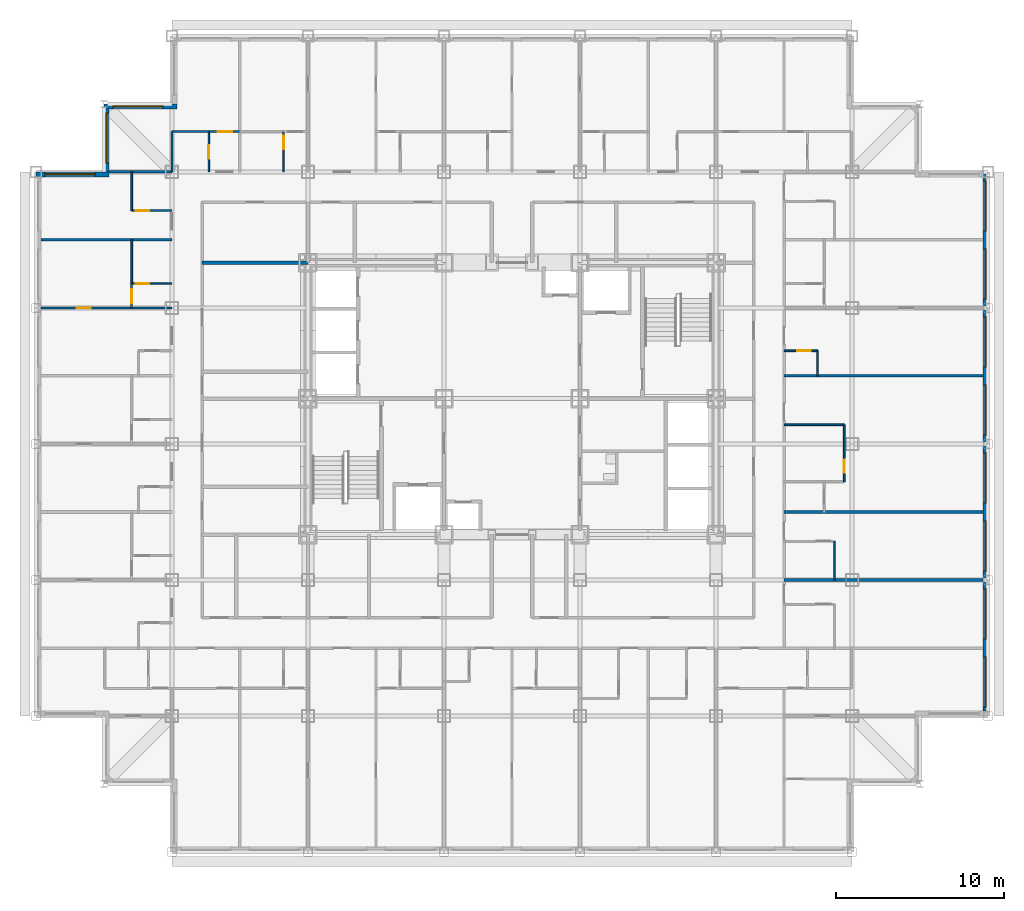
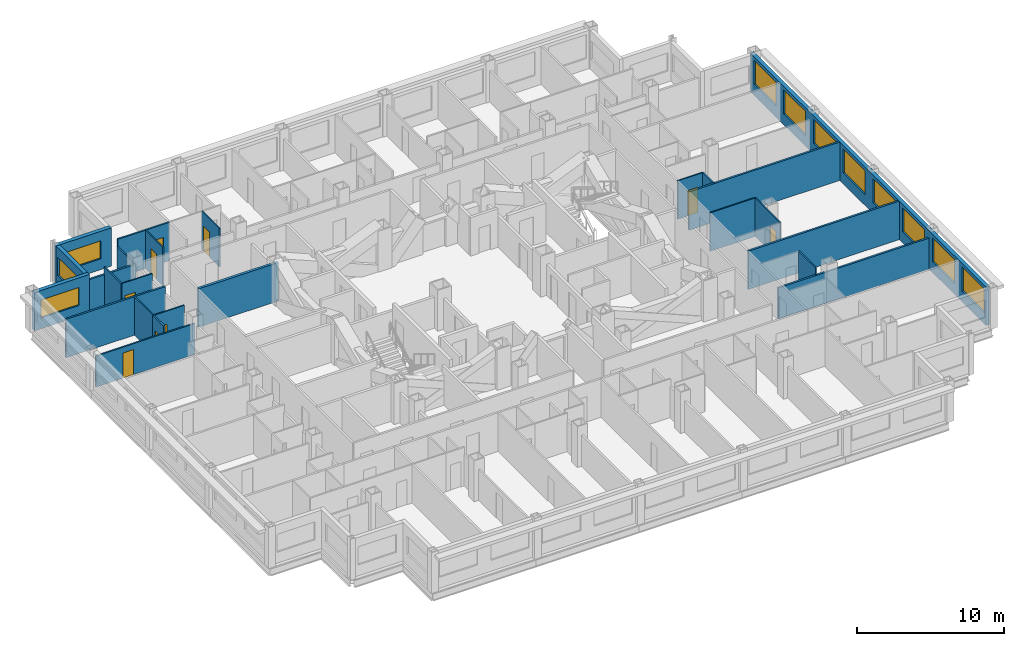
# One storey, part 9 of 14: 25 walls, 11 windows, 9 doors, 20 openings.
"""IFC4 building model written with IfcOpenShell, lengths in metres."""

from ifc_helpers import new_model, si_unit, direction, frame, frame_2d, origin, place, context, subcontext, project, spatial, rectangle, extrude, material, layer, layer_set, type_object, element, fill, save


model = new_model("IFC4")

# Units and contexts
model_context = context("Model", 3, precision=1e-05, world=origin(), true_north=direction((0.0, 1.0)))
body_context = subcontext(model_context, "Body", "Model", "MODEL_VIEW")
ifc_project = project(units=[si_unit("LENGTHUNIT", "METRE"), si_unit("AREAUNIT", "SQUARE_METRE"), si_unit("VOLUMEUNIT", "CUBIC_METRE"), si_unit("PLANEANGLEUNIT", "RADIAN"), si_unit("MASSUNIT", "GRAM", prefix="KILO")], contexts=[model_context])

# Site, building, storey
site_placement = place(None, origin())
site = spatial("IfcSite", under=ifc_project, at=site_placement, CompositionType="ELEMENT")
building_placement = place(site_placement, origin())
building = spatial("IfcBuilding", under=site, at=building_placement, Name="Kopane Lantern Tower", CompositionType="ELEMENT")
storey_placement = place(building_placement, frame((0.0, 0.0, 137.39990234375)))
storey = spatial("IfcBuildingStorey", under=building, at=storey_placement, Name="L35", CompositionType="ELEMENT", Elevation=137.39990234375)

# Wall, opening, door
ifc_material_1 = material(Name="Gypsum board on steel studs", Category="steel")
ifc_layer_1 = layer(ifc_material_1, 0.1201171875)
ifc_layer_set_1 = layer_set([ifc_layer_1], Name="APARTMENT INTERNAL WALL 120")
wall_type_1 = type_object("IfcWallType", Name="APARTMENT INTERNAL WALL 120", PredefinedType="PARTITIONING", material=ifc_layer_set_1)
wall_1_placement = place(storey_placement, frame((8.10009765625, 37.800048828125, 0.0), z_axis=(0.0, 0.0, 1.0), x_axis=(-1.0, 0.0, 0.0)))
wall_1 = element("IfcWall", 1, at=wall_1_placement, inside=storey, type_object=wall_type_1, Name="Apartment Internal Wall 120 L35", PredefinedType="PARTITIONING", context=body_context, shape_type="SweptSolid", body=[
    extrude(rectangle(XDim=7.800048828125, YDim=0.1201171875, at=frame_2d((3.89990234375, 0.0))), origin(), (0.0, 0.0, 1.0), 2.577880859375),
])
opening_1_placement = place(wall_1_placement, frame((4.824951171875, 0.0, 0.0)))
opening_1 = element("IfcOpeningElement", 2, at=opening_1_placement, cuts=wall_1, Name="Opening L35-054", PredefinedType="OPENING", context=body_context, shape_type="SweptSolid", body=[
    extrude(rectangle(XDim=0.85009765625, YDim=2.10009765625, at=frame_2d((0.425048828125, 1.050048828125))), frame((0.0, 0.070068359375, 0.0), z_axis=(0.0, -1.0, 0.0), x_axis=(1.0, 0.0, 0.0)), (0.0, 0.0, 1.0), 0.14013671875),
])
ifc_material_2 = material(Name="Timber door set", Category="wood")
door_type_1 = type_object("IfcDoorType", Name="DOOR D4 850x2100", OperationType="SINGLE_SWING_LEFT", PredefinedType="DOOR", material=ifc_material_2)
door_1_placement = place(opening_1_placement, origin())
door_1 = element("IfcDoor", 3, at=door_1_placement, inside=storey, type_object=door_type_1, Name="Door L35-054", OperationType="SINGLE_SWING_RIGHT", OverallHeight=2.10009765625, OverallWidth=0.85009765625, PredefinedType="DOOR", context=body_context, shape_type="SweptSolid", body=[
    extrude(rectangle(XDim=0.85009765625, YDim=2.10009765625, at=frame_2d((0.425048828125, 1.050048828125))), frame((0.0, 0.02490234375, 0.0), z_axis=(0.0, -1.0, 0.0), x_axis=(1.0, 0.0, 0.0)), (0.0, 0.0, 1.0), 0.050048828125),
])
fill(opening_1, door_1)

wall_2_placement = place(storey_placement, frame((8.10009765625, 48.300048828125, 0.0), z_axis=(0.0, 0.0, 1.0), x_axis=(1.0, 0.0, 0.0)))
wall_2 = element("IfcWall", 4, at=wall_2_placement, inside=storey, type_object=wall_type_1, Name="Apartment Internal Wall 120 L35", PredefinedType="PARTITIONING", context=body_context, shape_type="SweptSolid", body=[
    extrude(rectangle(XDim=4.0498046875, YDim=0.1201171875, at=frame_2d((2.02490234375, 0.0))), origin(), (0.0, 0.0, 1.0), 3.190185546875),
])
opening_2_placement = place(wall_2_placement, frame((2.72509765625, 0.0, 0.0)))
opening_2 = element("IfcOpeningElement", 5, at=opening_2_placement, cuts=wall_2, Name="Opening L35-086", PredefinedType="OPENING", context=body_context, shape_type="SweptSolid", body=[
    extrude(rectangle(XDim=0.85009765625, YDim=2.10009765625, at=frame_2d((0.425048828125, 1.050048828125))), frame((0.0, 0.070068359375, 0.0), z_axis=(0.0, -1.0, 0.0), x_axis=(1.0, 0.0, 0.0)), (0.0, 0.0, 1.0), 0.14013671875),
])
door_2_placement = place(opening_2_placement, origin())
door_2 = element("IfcDoor", 6, at=door_2_placement, inside=storey, type_object=door_type_1, Name="Door L35-086", OperationType="SINGLE_SWING_RIGHT", OverallHeight=2.10009765625, OverallWidth=0.85009765625, PredefinedType="DOOR", context=body_context, shape_type="SweptSolid", body=[
    extrude(rectangle(XDim=0.85009765625, YDim=2.10009765625, at=frame_2d((0.425048828125, 1.050048828125))), frame((0.0, 0.02490234375, 0.0), z_axis=(0.0, -1.0, 0.0), x_axis=(1.0, 0.0, 0.0)), (0.0, 0.0, 1.0), 0.050048828125),
])
fill(opening_2, door_2)

wall_3_placement = place(storey_placement, frame((5.699951171875, 37.800048828125, 0.0), z_axis=(0.0, 0.0, 1.0), x_axis=(0.0, 1.0, 0.0)))
wall_3 = element("IfcWall", 7, at=wall_3_placement, inside=storey, type_object=wall_type_1, Name="Apartment Internal Wall 120 L35", PredefinedType="PARTITIONING", context=body_context, shape_type="SweptSolid", body=[
    extrude(rectangle(XDim=1.4599609375, YDim=0.1201171875, at=frame_2d((0.72998046875, 0.0))), origin(), (0.0, 0.0, 1.0), 3.190185546875),
])
opening_3_placement = place(wall_3_placement, frame((0.27490234375, 0.0, 0.0)))
opening_3 = element("IfcOpeningElement", 8, at=opening_3_placement, cuts=wall_3, Name="Opening L35-096", PredefinedType="OPENING", context=body_context, shape_type="SweptSolid", body=[
    extrude(rectangle(XDim=0.85009765625, YDim=2.10009765625, at=frame_2d((0.425048828125, 1.050048828125))), frame((0.0, 0.070068359375, 0.0), z_axis=(0.0, -1.0, 0.0), x_axis=(1.0, 0.0, 0.0)), (0.0, 0.0, 1.0), 0.14013671875),
])
door_3_placement = place(opening_3_placement, origin())
door_3 = element("IfcDoor", 9, at=door_3_placement, inside=storey, type_object=door_type_1, Name="Door L35-096", OperationType="SINGLE_SWING_LEFT", OverallHeight=2.10009765625, OverallWidth=0.85009765625, PredefinedType="DOOR", context=body_context, shape_type="SweptSolid", body=[
    extrude(rectangle(XDim=0.85009765625, YDim=2.10009765625, at=frame_2d((0.425048828125, 1.050048828125))), frame((0.0, 0.02490234375, 0.0), z_axis=(0.0, -1.0, 0.0), x_axis=(1.0, 0.0, 0.0)), (0.0, 0.0, 1.0), 0.050048828125),
])
fill(opening_3, door_3)

ifc_material_3 = material(Name="Moisture-resistant board on steel studs", Category="steel")
ifc_layer_2 = layer(ifc_material_3, 0.10009765625)
ifc_layer_set_2 = layer_set([ifc_layer_2], Name="BATHROOM WALL 100")
wall_type_2 = type_object("IfcWallType", Name="BATHROOM WALL 100", PredefinedType="PARTITIONING", material=ifc_layer_set_2)
wall_4_placement = place(storey_placement, frame((14.75, 45.89990234375, 0.0), z_axis=(0.0, 0.0, 1.0), x_axis=(0.0, 1.0, 0.0)))
wall_4 = element("IfcWall", 10, at=wall_4_placement, inside=storey, type_object=wall_type_2, Name="Bathroom Wall 100 L35", PredefinedType="PARTITIONING", context=body_context, shape_type="SweptSolid", body=[
    extrude(rectangle(XDim=2.400146484375, YDim=0.10009765625, at=frame_2d((1.2001953125, 0.0))), origin(), (0.0, 0.0, 1.0), 3.190185546875),
])
opening_4_placement = place(wall_4_placement, frame((1.35009765625, 0.0, 0.0)))
opening_4 = element("IfcOpeningElement", 11, at=opening_4_placement, cuts=wall_4, Name="Opening L35-032", PredefinedType="OPENING", context=body_context, shape_type="SweptSolid", body=[
    extrude(rectangle(XDim=0.800048828125, YDim=2.10009765625, at=frame_2d((0.39990234375, 1.050048828125))), frame((0.0, 0.06005859375, 0.0), z_axis=(0.0, -1.0, 0.0), x_axis=(1.0, 0.0, 0.0)), (0.0, 0.0, 1.0), 0.1201171875),
])
ifc_material_4 = material(Name="Timber door set", Category="wood")
door_type_2 = type_object("IfcDoorType", Name="DOOR D2 800x2100", OperationType="SINGLE_SWING_LEFT", PredefinedType="DOOR", material=ifc_material_4)
door_4_placement = place(opening_4_placement, origin())
door_4 = element("IfcDoor", 12, at=door_4_placement, inside=storey, type_object=door_type_2, Name="Door L35-032", OperationType="SINGLE_SWING_LEFT", OverallHeight=2.10009765625, OverallWidth=0.800048828125, PredefinedType="DOOR", context=body_context, shape_type="SweptSolid", body=[
    extrude(rectangle(XDim=0.800048828125, YDim=2.10009765625, at=frame_2d((0.39990234375, 1.050048828125))), frame((0.0, 0.02490234375, 0.0), z_axis=(0.0, -1.0, 0.0), x_axis=(1.0, 0.0, 0.0)), (0.0, 0.0, 1.0), 0.050048828125),
])
fill(opening_4, door_4)

# Wall
wall_5_placement = place(storey_placement, frame((5.699951171875, 39.25, 0.0), z_axis=(0.0, 0.0, 1.0), x_axis=(0.0, 1.0, 0.0)))
element("IfcWall", 13, at=wall_5_placement, inside=storey, type_object=wall_type_2, Name="Bathroom Wall 100 L35", PredefinedType="PARTITIONING", context=body_context, shape_type="SweptSolid", body=[
    extrude(rectangle(XDim=2.60009765625, YDim=0.10009765625, at=frame_2d((1.300048828125, 0.0))), origin(), (0.0, 0.0, 1.0), 3.190185546875),
])

# Wall, opening, door
wall_6_placement = place(storey_placement, frame((8.10009765625, 39.25, 0.0), z_axis=(0.0, 0.0, 1.0), x_axis=(-1.0, 0.0, 0.0)))
wall_6 = element("IfcWall", 14, at=wall_6_placement, inside=storey, type_object=wall_type_2, Name="Bathroom Wall 100 L35", PredefinedType="PARTITIONING", context=body_context, shape_type="SweptSolid", body=[
    extrude(rectangle(XDim=2.400146484375, YDim=0.10009765625, at=frame_2d((1.2001953125, 0.0))), origin(), (0.0, 0.0, 1.0), 3.190185546875),
])
opening_5_placement = place(wall_6_placement, frame((1.35009765625, 0.0, 0.0)))
opening_5 = element("IfcOpeningElement", 15, at=opening_5_placement, cuts=wall_6, Name="Opening L35-053", PredefinedType="OPENING", context=body_context, shape_type="SweptSolid", body=[
    extrude(rectangle(XDim=0.800048828125, YDim=2.10009765625, at=frame_2d((0.39990234375, 1.050048828125))), frame((0.0, 0.06005859375, 0.0), z_axis=(0.0, -1.0, 0.0), x_axis=(1.0, 0.0, 0.0)), (0.0, 0.0, 1.0), 0.1201171875),
])
door_5_placement = place(opening_5_placement, origin())
door_5 = element("IfcDoor", 16, at=door_5_placement, inside=storey, type_object=door_type_2, Name="Door L35-053", OperationType="SINGLE_SWING_RIGHT", OverallHeight=2.10009765625, OverallWidth=0.800048828125, PredefinedType="DOOR", context=body_context, shape_type="SweptSolid", body=[
    extrude(rectangle(XDim=0.800048828125, YDim=2.10009765625, at=frame_2d((0.39990234375, 1.050048828125))), frame((0.0, 0.02490234375, 0.0), z_axis=(0.0, -1.0, 0.0), x_axis=(1.0, 0.0, 0.0)), (0.0, 0.0, 1.0), 0.050048828125),
])
fill(opening_5, door_5)

# Wall
wall_7_placement = place(storey_placement, frame((5.699951171875, 43.60009765625, 0.0), z_axis=(0.0, 0.0, 1.0), x_axis=(0.0, 1.0, 0.0)))
element("IfcWall", 17, at=wall_7_placement, inside=storey, type_object=wall_type_2, Name="Bathroom Wall 100 L35", PredefinedType="PARTITIONING", context=body_context, shape_type="SweptSolid", body=[
    extrude(rectangle(XDim=2.2998046875, YDim=0.10009765625, at=frame_2d((1.14990234375, 0.0))), origin(), (0.0, 0.0, 1.0), 3.190185546875),
])

# Wall, opening, door
wall_8_placement = place(storey_placement, frame((8.10009765625, 43.60009765625, 0.0), z_axis=(0.0, 0.0, 1.0), x_axis=(-1.0, 0.0, 0.0)))
wall_8 = element("IfcWall", 18, at=wall_8_placement, inside=storey, type_object=wall_type_2, Name="Bathroom Wall 100 L35", PredefinedType="PARTITIONING", context=body_context, shape_type="SweptSolid", body=[
    extrude(rectangle(XDim=2.400146484375, YDim=0.10009765625, at=frame_2d((1.2001953125, 0.0))), origin(), (0.0, 0.0, 1.0), 3.190185546875),
])
opening_6_placement = place(wall_8_placement, frame((1.35009765625, 0.0, 0.0)))
opening_6 = element("IfcOpeningElement", 19, at=opening_6_placement, cuts=wall_8, Name="Opening L35-055", PredefinedType="OPENING", context=body_context, shape_type="SweptSolid", body=[
    extrude(rectangle(XDim=0.800048828125, YDim=2.10009765625, at=frame_2d((0.39990234375, 1.050048828125))), frame((0.0, 0.06005859375, 0.0), z_axis=(0.0, -1.0, 0.0), x_axis=(1.0, 0.0, 0.0)), (0.0, 0.0, 1.0), 0.1201171875),
])
door_6_placement = place(opening_6_placement, origin())
door_6 = element("IfcDoor", 20, at=door_6_placement, inside=storey, type_object=door_type_2, Name="Door L35-055", OperationType="SINGLE_SWING_LEFT", OverallHeight=2.10009765625, OverallWidth=0.800048828125, PredefinedType="DOOR", context=body_context, shape_type="SweptSolid", body=[
    extrude(rectangle(XDim=0.800048828125, YDim=2.10009765625, at=frame_2d((0.39990234375, 1.050048828125))), frame((0.0, 0.02490234375, 0.0), z_axis=(0.0, -1.0, 0.0), x_axis=(1.0, 0.0, 0.0)), (0.0, 0.0, 1.0), 0.050048828125),
])
fill(opening_6, door_6)

# Wall
wall_9_placement = place(storey_placement, frame((47.550048828125, 21.60009765625, 0.0), z_axis=(0.0, 0.0, 1.0), x_axis=(0.0, 1.0, 0.0)))
element("IfcWall", 21, at=wall_9_placement, inside=storey, type_object=wall_type_2, Name="Bathroom Wall 100 L35", PredefinedType="PARTITIONING", context=body_context, shape_type="SweptSolid", body=[
    extrude(rectangle(XDim=2.2998046875, YDim=0.10009765625, at=frame_2d((1.14990234375, 0.0))), origin(), (0.0, 0.0, 1.0), 3.190185546875),
])

# Wall, opening, door
wall_10_placement = place(storey_placement, frame((48.139892578125, 27.449951171875, 0.0), z_axis=(0.0, 0.0, 1.0), x_axis=(0.0, 1.0, 0.0)))
wall_10 = element("IfcWall", 22, at=wall_10_placement, inside=storey, type_object=wall_type_2, Name="Bathroom Wall 100 L35", PredefinedType="PARTITIONING", context=body_context, shape_type="SweptSolid", body=[
    extrude(rectangle(XDim=3.400146484375, YDim=0.10009765625, at=frame_2d((1.7001953125, 0.0))), origin(), (0.0, 0.0, 1.0), 3.190185546875),
])
opening_7_placement = place(wall_10_placement, frame((0.52490234375, 0.0, 0.0)))
opening_7 = element("IfcOpeningElement", 23, at=opening_7_placement, cuts=wall_10, Name="Opening L35-061", PredefinedType="OPENING", context=body_context, shape_type="SweptSolid", body=[
    extrude(rectangle(XDim=0.800048828125, YDim=2.10009765625, at=frame_2d((0.39990234375, 1.050048828125))), frame((0.0, 0.06005859375, 0.0), z_axis=(0.0, -1.0, 0.0), x_axis=(1.0, 0.0, 0.0)), (0.0, 0.0, 1.0), 0.1201171875),
])
door_7_placement = place(opening_7_placement, origin())
door_7 = element("IfcDoor", 24, at=door_7_placement, inside=storey, type_object=door_type_2, Name="Door L35-061", OperationType="SINGLE_SWING_LEFT", OverallHeight=2.10009765625, OverallWidth=0.800048828125, PredefinedType="DOOR", context=body_context, shape_type="SweptSolid", body=[
    extrude(rectangle(XDim=0.800048828125, YDim=2.10009765625, at=frame_2d((0.39990234375, 1.050048828125))), frame((0.0, 0.02490234375, 0.0), z_axis=(0.0, -1.0, 0.0), x_axis=(1.0, 0.0, 0.0)), (0.0, 0.0, 1.0), 0.050048828125),
])
fill(opening_7, door_7)

# Walls
wall_11_placement = place(storey_placement, frame((44.550048828125, 30.85009765625, 0.0), z_axis=(0.0, 0.0, 1.0), x_axis=(1.0, 0.0, 0.0)))
element("IfcWall", 25, at=wall_11_placement, inside=storey, type_object=wall_type_2, Name="Bathroom Wall 100 L35", PredefinedType="PARTITIONING", context=body_context, shape_type="SweptSolid", body=[
    extrude(rectangle(XDim=3.58984375, YDim=0.10009765625, at=frame_2d((1.794921875, 0.0))), origin(), (0.0, 0.0, 1.0), 3.190185546875),
])
wall_12_placement = place(storey_placement, frame((46.550048828125, 33.75, 0.0), z_axis=(0.0, 0.0, 1.0), x_axis=(0.0, 1.0, 0.0)))
element("IfcWall", 26, at=wall_12_placement, inside=storey, type_object=wall_type_2, Name="Bathroom Wall 100 L35", PredefinedType="PARTITIONING", context=body_context, shape_type="SweptSolid", body=[
    extrude(rectangle(XDim=1.5, YDim=0.10009765625, at=frame_2d((0.75, 0.0))), origin(), (0.0, 0.0, 1.0), 3.190185546875),
])

# Wall, opening, door
wall_13_placement = place(storey_placement, frame((44.550048828125, 35.25, 0.0), z_axis=(0.0, 0.0, 1.0), x_axis=(1.0, 0.0, 0.0)))
wall_13 = element("IfcWall", 27, at=wall_13_placement, inside=storey, type_object=wall_type_2, Name="Bathroom Wall 100 L35", PredefinedType="PARTITIONING", context=body_context, shape_type="SweptSolid", body=[
    extrude(rectangle(XDim=2.0, YDim=0.10009765625, at=frame_2d((1.0, 0.0))), origin(), (0.0, 0.0, 1.0), 3.190185546875),
])
opening_8_placement = place(wall_13_placement, frame((0.800048828125, 0.0, 0.0)))
opening_8 = element("IfcOpeningElement", 28, at=opening_8_placement, cuts=wall_13, Name="Opening L35-064", PredefinedType="OPENING", context=body_context, shape_type="SweptSolid", body=[
    extrude(rectangle(XDim=0.800048828125, YDim=2.10009765625, at=frame_2d((0.39990234375, 1.050048828125))), frame((0.0, 0.06005859375, 0.0), z_axis=(0.0, -1.0, 0.0), x_axis=(1.0, 0.0, 0.0)), (0.0, 0.0, 1.0), 0.1201171875),
])
door_8_placement = place(opening_8_placement, origin())
door_8 = element("IfcDoor", 29, at=door_8_placement, inside=storey, type_object=door_type_2, Name="Door L35-064", OperationType="SINGLE_SWING_LEFT", OverallHeight=2.10009765625, OverallWidth=0.800048828125, PredefinedType="DOOR", context=body_context, shape_type="SweptSolid", body=[
    extrude(rectangle(XDim=0.800048828125, YDim=2.10009765625, at=frame_2d((0.39990234375, 1.050048828125))), frame((0.0, 0.02490234375, 0.0), z_axis=(0.0, -1.0, 0.0), x_axis=(1.0, 0.0, 0.0)), (0.0, 0.0, 1.0), 0.050048828125),
])
fill(opening_8, door_8)

wall_14_placement = place(storey_placement, frame((10.300048828125, 45.89990234375, 0.0), z_axis=(0.0, 0.0, 1.0), x_axis=(0.0, 1.0, 0.0)))
wall_14 = element("IfcWall", 30, at=wall_14_placement, inside=storey, type_object=wall_type_2, Name="Bathroom Wall 100 L35", PredefinedType="PARTITIONING", context=body_context, shape_type="SweptSolid", body=[
    extrude(rectangle(XDim=2.400146484375, YDim=0.10009765625, at=frame_2d((1.2001953125, 0.0))), origin(), (0.0, 0.0, 1.0), 3.190185546875),
])
opening_9_placement = place(wall_14_placement, frame((0.800048828125, 0.0, 0.0)))
opening_9 = element("IfcOpeningElement", 31, at=opening_9_placement, cuts=wall_14, Name="Opening L35-084", PredefinedType="OPENING", context=body_context, shape_type="SweptSolid", body=[
    extrude(rectangle(XDim=0.800048828125, YDim=2.10009765625, at=frame_2d((0.39990234375, 1.050048828125))), frame((0.0, 0.06005859375, 0.0), z_axis=(0.0, -1.0, 0.0), x_axis=(1.0, 0.0, 0.0)), (0.0, 0.0, 1.0), 0.1201171875),
])
door_9_placement = place(opening_9_placement, origin())
door_9 = element("IfcDoor", 32, at=door_9_placement, inside=storey, type_object=door_type_2, Name="Door L35-084", OperationType="SINGLE_SWING_LEFT", OverallHeight=2.10009765625, OverallWidth=0.800048828125, PredefinedType="DOOR", context=body_context, shape_type="SweptSolid", body=[
    extrude(rectangle(XDim=0.800048828125, YDim=2.10009765625, at=frame_2d((0.39990234375, 1.050048828125))), frame((0.0, 0.02490234375, 0.0), z_axis=(0.0, -1.0, 0.0), x_axis=(1.0, 0.0, 0.0)), (0.0, 0.0, 1.0), 0.050048828125),
])
fill(opening_9, door_9)

# Walls
wall_15_placement = place(storey_placement, frame((8.10009765625, 45.89990234375, 0.0), z_axis=(0.0, 0.0, 1.0), x_axis=(0.0, 1.0, 0.0)))
element("IfcWall", 33, at=wall_15_placement, inside=storey, type_object=wall_type_2, Name="Bathroom Wall 100 L35", PredefinedType="PARTITIONING", context=body_context, shape_type="SweptSolid", body=[
    extrude(rectangle(XDim=2.400146484375, YDim=0.10009765625, at=frame_2d((1.2001953125, 0.0))), origin(), (0.0, 0.0, 1.0), 2.577880859375),
])
ifc_material_5 = material(Name="Gypsum board on steel studs", Category="steel")
ifc_layer_3 = layer(ifc_material_5, 0.14990234375)
ifc_layer_set_3 = layer_set([ifc_layer_3], Name="DEMISING WALL 150 EI 60")
wall_type_3 = type_object("IfcWallType", Name="DEMISING WALL 150 EI 60", PredefinedType="PARTITIONING", material=ifc_layer_set_3)
wall_16_placement = place(storey_placement, frame((8.10009765625, 41.85009765625, 0.0), z_axis=(0.0, 0.0, 1.0), x_axis=(-1.0, 0.0, 0.0)))
element("IfcWall", 34, at=wall_16_placement, inside=storey, type_object=wall_type_3, Name="Demising Wall 150 Ei 60 L35", PredefinedType="PARTITIONING", context=body_context, shape_type="SweptSolid", body=[
    extrude(rectangle(XDim=7.800048828125, YDim=0.14990234375, at=frame_2d((3.89990234375, 0.0))), origin(), (0.0, 0.0, 1.0), 3.190185546875),
])
wall_17_placement = place(storey_placement, frame((44.550048828125, 21.60009765625, 0.0), z_axis=(0.0, 0.0, 1.0), x_axis=(1.0, 0.0, 0.0)))
element("IfcWall", 35, at=wall_17_placement, inside=storey, type_object=wall_type_3, Name="Demising Wall 150 Ei 60 L35", PredefinedType="PARTITIONING", context=body_context, shape_type="SweptSolid", body=[
    extrude(rectangle(XDim=11.849853515625, YDim=0.14990234375, at=frame_2d((5.9248046875, 0.0))), origin(), (0.0, 0.0, 1.0), 2.577880859375),
])
for number, where, z_axis, x_axis, name in (
    (36, (44.550048828125, 25.64990234375, 0.0), (0.0, 0.0, 1.0), (1.0, 0.0, 0.0), "Demising Wall 150 Ei 60 L35"),
    (37, (44.550048828125, 33.75, 0.0), (0.0, 0.0, 1.0), (1.0, 0.0, 0.0), "Demising Wall 150 Ei 60 L35"),
):
    element("IfcWall", number, at=place(storey_placement, frame(where, z_axis=z_axis, x_axis=x_axis)), inside=storey, type_object=wall_type_3, Name=name, PredefinedType="PARTITIONING", context=body_context, shape_type="SweptSolid", body=[
        extrude(rectangle(XDim=11.849853515625, YDim=0.14990234375, at=frame_2d((5.9248046875, 0.0))), origin(), (0.0, 0.0, 1.0), 3.190185546875),
    ])
wall_18_placement = place(storey_placement, frame((4.35009765625, 45.89990234375, 0.0), z_axis=(0.0, 0.0, 1.0), x_axis=(1.0, 0.0, 0.0)))
element("IfcWall", 38, at=wall_18_placement, inside=storey, type_object=wall_type_3, Name="Demising Wall 150 Ei 60 L35", PredefinedType="PARTITIONING", context=body_context, shape_type="SweptSolid", body=[
    extrude(rectangle(XDim=3.75, YDim=0.14990234375, at=frame_2d((1.875, 0.0))), origin(), (0.0, 0.0, 1.0), 2.577880859375),
])

# Wall, openings, windows
ifc_material_6 = material(Name="Terracotta rainscreen on light steel framing", Category="masonry")
ifc_layer_4 = layer(ifc_material_6, 0.300048828125)
ifc_layer_set_4 = layer_set([ifc_layer_4], Name="EXTERNAL WALL EW1 300 TERRACOTTA")
wall_type_4 = type_object("IfcWallType", Name="EXTERNAL WALL EW1 300 TERRACOTTA", PredefinedType="SOLIDWALL", material=ifc_layer_set_4)
wall_19_placement = place(storey_placement, frame((56.550048828125, 13.800048828125, 0.0), z_axis=(0.0, 0.0, 1.0), x_axis=(0.0, 1.0, 0.0)))
wall_19 = element("IfcWall", 39, at=wall_19_placement, inside=storey, type_object=wall_type_4, Name="External wall E L35", PredefinedType="SOLIDWALL", context=body_context, shape_type="SweptSolid", body=[
    extrude(rectangle(XDim=32.099853515625, YDim=0.300048828125, at=frame_2d((16.0498046875, 0.0))), origin(), (0.0, 0.0, 1.0), 3.190185546875),
])
opening_10_placement = place(wall_19_placement, frame((0.22509765625, 0.0, 0.89990234375)))
opening_10 = element("IfcOpeningElement", 40, at=opening_10_placement, cuts=wall_19, Name="Opening WR300200", PredefinedType="OPENING", context=body_context, shape_type="SweptSolid", body=[
    extrude(rectangle(XDim=3.0, YDim=2.0, at=frame_2d((1.5, 1.0))), frame((0.0, 0.159912109375, 0.0), z_axis=(0.0, -1.0, 0.0), x_axis=(1.0, 0.0, 0.0)), (0.0, 0.0, 1.0), 0.320068359375),
])
opening_11_placement = place(wall_19_placement, frame((4.27490234375, 0.0, 0.89990234375)))
opening_11 = element("IfcOpeningElement", 41, at=opening_11_placement, cuts=wall_19, Name="Opening WR300200", PredefinedType="OPENING", context=body_context, shape_type="SweptSolid", body=[
    extrude(rectangle(XDim=3.0, YDim=2.0, at=frame_2d((1.5, 1.0))), frame((0.0, 0.159912109375, 0.0), z_axis=(0.0, -1.0, 0.0), x_axis=(1.0, 0.0, 0.0)), (0.0, 0.0, 1.0), 0.320068359375),
])
opening_12_placement = place(wall_19_placement, frame((8.324951171875, 0.0, 0.89990234375)))
opening_12 = element("IfcOpeningElement", 42, at=opening_12_placement, cuts=wall_19, Name="Opening WR300200", PredefinedType="OPENING", context=body_context, shape_type="SweptSolid", body=[
    extrude(rectangle(XDim=3.0, YDim=2.0, at=frame_2d((1.5, 1.0))), frame((0.0, 0.159912109375, 0.0), z_axis=(0.0, -1.0, 0.0), x_axis=(1.0, 0.0, 0.0)), (0.0, 0.0, 1.0), 0.320068359375),
])
opening_13_placement = place(wall_19_placement, frame((12.375, 0.0, 0.89990234375)))
opening_13 = element("IfcOpeningElement", 43, at=opening_13_placement, cuts=wall_19, Name="Opening WR300200", PredefinedType="OPENING", context=body_context, shape_type="SweptSolid", body=[
    extrude(rectangle(XDim=3.0, YDim=2.0, at=frame_2d((1.5, 1.0))), frame((0.0, 0.159912109375, 0.0), z_axis=(0.0, -1.0, 0.0), x_axis=(1.0, 0.0, 0.0)), (0.0, 0.0, 1.0), 0.320068359375),
])
opening_14_placement = place(wall_19_placement, frame((16.425048828125, 0.0, 0.89990234375)))
opening_14 = element("IfcOpeningElement", 44, at=opening_14_placement, cuts=wall_19, Name="Opening WR300200", PredefinedType="OPENING", context=body_context, shape_type="SweptSolid", body=[
    extrude(rectangle(XDim=3.0, YDim=2.0, at=frame_2d((1.5, 1.0))), frame((0.0, 0.159912109375, 0.0), z_axis=(0.0, -1.0, 0.0), x_axis=(1.0, 0.0, 0.0)), (0.0, 0.0, 1.0), 0.320068359375),
])
opening_15_placement = place(wall_19_placement, frame((20.47509765625, 0.0, 0.89990234375)))
opening_15 = element("IfcOpeningElement", 45, at=opening_15_placement, cuts=wall_19, Name="Opening WR300200", PredefinedType="OPENING", context=body_context, shape_type="SweptSolid", body=[
    extrude(rectangle(XDim=3.0, YDim=2.0, at=frame_2d((1.5, 1.0))), frame((0.0, 0.159912109375, 0.0), z_axis=(0.0, -1.0, 0.0), x_axis=(1.0, 0.0, 0.0)), (0.0, 0.0, 1.0), 0.320068359375),
])
opening_16_placement = place(wall_19_placement, frame((24.52490234375, 0.0, 0.89990234375)))
opening_16 = element("IfcOpeningElement", 46, at=opening_16_placement, cuts=wall_19, Name="Opening WR300200", PredefinedType="OPENING", context=body_context, shape_type="SweptSolid", body=[
    extrude(rectangle(XDim=3.0, YDim=2.0, at=frame_2d((1.5, 1.0))), frame((0.0, 0.159912109375, 0.0), z_axis=(0.0, -1.0, 0.0), x_axis=(1.0, 0.0, 0.0)), (0.0, 0.0, 1.0), 0.320068359375),
])
opening_17_placement = place(wall_19_placement, frame((28.574951171875, 0.0, 0.89990234375)))
opening_17 = element("IfcOpeningElement", 47, at=opening_17_placement, cuts=wall_19, Name="Opening WR300200", PredefinedType="OPENING", context=body_context, shape_type="SweptSolid", body=[
    extrude(rectangle(XDim=3.0, YDim=2.0, at=frame_2d((1.5, 1.0))), frame((0.0, 0.159912109375, 0.0), z_axis=(0.0, -1.0, 0.0), x_axis=(1.0, 0.0, 0.0)), (0.0, 0.0, 1.0), 0.320068359375),
])
ifc_material_7 = material(Name="Aluminium and clear glass", Category="aluminium")
window_type_1 = type_object("IfcWindowType", Name="RIBBON WINDOW WR300200 3000x2000", PartitioningType="SINGLE_PANEL", PredefinedType="WINDOW", material=ifc_material_7)
window_1_placement = place(opening_10_placement, origin())
window_1 = element("IfcWindow", 48, at=window_1_placement, inside=storey, type_object=window_type_1, Name="Window E L35", OverallHeight=2.0, OverallWidth=3.0, PartitioningType="SINGLE_PANEL", PredefinedType="WINDOW", context=body_context, shape_type="SweptSolid", body=[
    extrude(rectangle(XDim=3.0, YDim=2.0, at=frame_2d((1.5, 1.0))), frame((0.0, 0.030029296875, 0.0), z_axis=(0.0, -1.0, 0.0), x_axis=(1.0, 0.0, 0.0)), (0.0, 0.0, 1.0), 0.06005859375),
])
fill(opening_10, window_1)
window_2_placement = place(opening_11_placement, origin())
window_2 = element("IfcWindow", 49, at=window_2_placement, inside=storey, type_object=window_type_1, Name="Window E L35", OverallHeight=2.0, OverallWidth=3.0, PartitioningType="SINGLE_PANEL", PredefinedType="WINDOW", context=body_context, shape_type="SweptSolid", body=[
    extrude(rectangle(XDim=3.0, YDim=2.0, at=frame_2d((1.5, 1.0))), frame((0.0, 0.030029296875, 0.0), z_axis=(0.0, -1.0, 0.0), x_axis=(1.0, 0.0, 0.0)), (0.0, 0.0, 1.0), 0.06005859375),
])
fill(opening_11, window_2)
window_3_placement = place(opening_12_placement, origin())
window_3 = element("IfcWindow", 50, at=window_3_placement, inside=storey, type_object=window_type_1, Name="Window E L35", OverallHeight=2.0, OverallWidth=3.0, PartitioningType="SINGLE_PANEL", PredefinedType="WINDOW", context=body_context, shape_type="SweptSolid", body=[
    extrude(rectangle(XDim=3.0, YDim=2.0, at=frame_2d((1.5, 1.0))), frame((0.0, 0.030029296875, 0.0), z_axis=(0.0, -1.0, 0.0), x_axis=(1.0, 0.0, 0.0)), (0.0, 0.0, 1.0), 0.06005859375),
])
fill(opening_12, window_3)
window_4_placement = place(opening_13_placement, origin())
window_4 = element("IfcWindow", 51, at=window_4_placement, inside=storey, type_object=window_type_1, Name="Window E L35", OverallHeight=2.0, OverallWidth=3.0, PartitioningType="SINGLE_PANEL", PredefinedType="WINDOW", context=body_context, shape_type="SweptSolid", body=[
    extrude(rectangle(XDim=3.0, YDim=2.0, at=frame_2d((1.5, 1.0))), frame((0.0, 0.030029296875, 0.0), z_axis=(0.0, -1.0, 0.0), x_axis=(1.0, 0.0, 0.0)), (0.0, 0.0, 1.0), 0.06005859375),
])
fill(opening_13, window_4)
window_5_placement = place(opening_14_placement, origin())
window_5 = element("IfcWindow", 52, at=window_5_placement, inside=storey, type_object=window_type_1, Name="Window E L35", OverallHeight=2.0, OverallWidth=3.0, PartitioningType="SINGLE_PANEL", PredefinedType="WINDOW", context=body_context, shape_type="SweptSolid", body=[
    extrude(rectangle(XDim=3.0, YDim=2.0, at=frame_2d((1.5, 1.0))), frame((0.0, 0.030029296875, 0.0), z_axis=(0.0, -1.0, 0.0), x_axis=(1.0, 0.0, 0.0)), (0.0, 0.0, 1.0), 0.06005859375),
])
fill(opening_14, window_5)
window_6_placement = place(opening_15_placement, origin())
window_6 = element("IfcWindow", 53, at=window_6_placement, inside=storey, type_object=window_type_1, Name="Window E L35", OverallHeight=2.0, OverallWidth=3.0, PartitioningType="SINGLE_PANEL", PredefinedType="WINDOW", context=body_context, shape_type="SweptSolid", body=[
    extrude(rectangle(XDim=3.0, YDim=2.0, at=frame_2d((1.5, 1.0))), frame((0.0, 0.030029296875, 0.0), z_axis=(0.0, -1.0, 0.0), x_axis=(1.0, 0.0, 0.0)), (0.0, 0.0, 1.0), 0.06005859375),
])
fill(opening_15, window_6)
window_7_placement = place(opening_16_placement, origin())
window_7 = element("IfcWindow", 54, at=window_7_placement, inside=storey, type_object=window_type_1, Name="Window E L35", OverallHeight=2.0, OverallWidth=3.0, PartitioningType="SINGLE_PANEL", PredefinedType="WINDOW", context=body_context, shape_type="SweptSolid", body=[
    extrude(rectangle(XDim=3.0, YDim=2.0, at=frame_2d((1.5, 1.0))), frame((0.0, 0.030029296875, 0.0), z_axis=(0.0, -1.0, 0.0), x_axis=(1.0, 0.0, 0.0)), (0.0, 0.0, 1.0), 0.06005859375),
])
fill(opening_16, window_7)
window_8_placement = place(opening_17_placement, origin())
window_8 = element("IfcWindow", 55, at=window_8_placement, inside=storey, type_object=window_type_1, Name="Window E L35", OverallHeight=2.0, OverallWidth=3.0, PartitioningType="SINGLE_PANEL", PredefinedType="WINDOW", context=body_context, shape_type="SweptSolid", body=[
    extrude(rectangle(XDim=3.0, YDim=2.0, at=frame_2d((1.5, 1.0))), frame((0.0, 0.030029296875, 0.0), z_axis=(0.0, -1.0, 0.0), x_axis=(1.0, 0.0, 0.0)), (0.0, 0.0, 1.0), 0.06005859375),
])
fill(opening_17, window_8)

# Wall, opening, window
wall_20_placement = place(storey_placement, frame((8.39990234375, 49.800048828125, 0.0), z_axis=(0.0, 0.0, 1.0), x_axis=(-1.0, 0.0, 0.0)))
wall_20 = element("IfcWall", 56, at=wall_20_placement, inside=storey, type_object=wall_type_4, Name="External wall N L35", PredefinedType="SOLIDWALL", context=body_context, shape_type="SweptSolid", body=[
    extrude(rectangle(XDim=4.349853515625, YDim=0.300048828125, at=frame_2d((2.1748046875, 0.0))), origin(), (0.0, 0.0, 1.0), 3.190185546875),
])
opening_18_placement = place(wall_20_placement, frame((0.824951171875, 0.0, 0.89990234375)))
opening_18 = element("IfcOpeningElement", 57, at=opening_18_placement, cuts=wall_20, Name="Opening WR300150", PredefinedType="OPENING", context=body_context, shape_type="SweptSolid", body=[
    extrude(rectangle(XDim=3.0, YDim=1.5, at=frame_2d((1.5, 0.75))), frame((0.0, 0.159912109375, 0.0), z_axis=(0.0, -1.0, 0.0), x_axis=(1.0, 0.0, 0.0)), (0.0, 0.0, 1.0), 0.320068359375),
])
ifc_material_8 = material(Name="Aluminium and clear glass", Category="aluminium")
window_type_2 = type_object("IfcWindowType", Name="RIBBON WINDOW WR300150 3000x1500", PartitioningType="SINGLE_PANEL", PredefinedType="WINDOW", material=ifc_material_8)
window_9_placement = place(opening_18_placement, origin())
window_9 = element("IfcWindow", 58, at=window_9_placement, inside=storey, type_object=window_type_2, Name="Window N L35", OverallHeight=1.5, OverallWidth=3.0, PartitioningType="SINGLE_PANEL", PredefinedType="WINDOW", context=body_context, shape_type="SweptSolid", body=[
    extrude(rectangle(XDim=3.0, YDim=1.5, at=frame_2d((1.5, 0.75))), frame((0.0, 0.030029296875, 0.0), z_axis=(0.0, -1.0, 0.0), x_axis=(1.0, 0.0, 0.0)), (0.0, 0.0, 1.0), 0.06005859375),
])
fill(opening_18, window_9)

wall_21_placement = place(storey_placement, frame((4.199951171875, 49.64990234375, 0.0), z_axis=(0.0, 0.0, 1.0), x_axis=(0.0, -1.0, 0.0)))
wall_21 = element("IfcWall", 59, at=wall_21_placement, inside=storey, type_object=wall_type_4, Name="External wall W L35", PredefinedType="SOLIDWALL", context=body_context, shape_type="SweptSolid", body=[
    extrude(rectangle(XDim=3.75, YDim=0.300048828125, at=frame_2d((1.875, 0.0))), origin(), (0.0, 0.0, 1.0), 3.190185546875),
])
opening_19_placement = place(wall_21_placement, frame((0.22509765625, 0.0, 0.89990234375)))
opening_19 = element("IfcOpeningElement", 60, at=opening_19_placement, cuts=wall_21, Name="Opening WR300150", PredefinedType="OPENING", context=body_context, shape_type="SweptSolid", body=[
    extrude(rectangle(XDim=3.0, YDim=1.5, at=frame_2d((1.5, 0.75))), frame((0.0, 0.159912109375, 0.0), z_axis=(0.0, -1.0, 0.0), x_axis=(1.0, 0.0, 0.0)), (0.0, 0.0, 1.0), 0.320068359375),
])
window_10_placement = place(opening_19_placement, origin())
window_10 = element("IfcWindow", 61, at=window_10_placement, inside=storey, type_object=window_type_2, Name="Window W L35", OverallHeight=1.5, OverallWidth=3.0, PartitioningType="SINGLE_PANEL", PredefinedType="WINDOW", context=body_context, shape_type="SweptSolid", body=[
    extrude(rectangle(XDim=3.0, YDim=1.5, at=frame_2d((1.5, 0.75))), frame((0.0, 0.030029296875, 0.0), z_axis=(0.0, -1.0, 0.0), x_axis=(1.0, 0.0, 0.0)), (0.0, 0.0, 1.0), 0.06005859375),
])
fill(opening_19, window_10)

wall_22_placement = place(storey_placement, frame((4.35009765625, 45.75, 0.0), z_axis=(0.0, 0.0, 1.0), x_axis=(-1.0, 0.0, 0.0)))
wall_22 = element("IfcWall", 62, at=wall_22_placement, inside=storey, type_object=wall_type_4, Name="External wall N L35", PredefinedType="SOLIDWALL", context=body_context, shape_type="SweptSolid", body=[
    extrude(rectangle(XDim=4.35009765625, YDim=0.300048828125, at=frame_2d((2.175048828125, 0.0))), origin(), (0.0, 0.0, 1.0), 3.190185546875),
])
opening_20_placement = place(wall_22_placement, frame((0.824951171875, 0.0, 0.89990234375)))
opening_20 = element("IfcOpeningElement", 63, at=opening_20_placement, cuts=wall_22, Name="Opening WR300150", PredefinedType="OPENING", context=body_context, shape_type="SweptSolid", body=[
    extrude(rectangle(XDim=3.0, YDim=1.5, at=frame_2d((1.5, 0.75))), frame((0.0, 0.159912109375, 0.0), z_axis=(0.0, -1.0, 0.0), x_axis=(1.0, 0.0, 0.0)), (0.0, 0.0, 1.0), 0.320068359375),
])
window_11_placement = place(opening_20_placement, origin())
window_11 = element("IfcWindow", 64, at=window_11_placement, inside=storey, type_object=window_type_2, Name="Window N L35", OverallHeight=1.5, OverallWidth=3.0, PartitioningType="SINGLE_PANEL", PredefinedType="WINDOW", context=body_context, shape_type="SweptSolid", body=[
    extrude(rectangle(XDim=3.0, YDim=1.5, at=frame_2d((1.5, 0.75))), frame((0.0, 0.030029296875, 0.0), z_axis=(0.0, -1.0, 0.0), x_axis=(1.0, 0.0, 0.0)), (0.0, 0.0, 1.0), 0.06005859375),
])
fill(opening_20, window_11)

# Wall
ifc_material_9 = material(Name="Concrete masonry", Category="masonry")
ifc_layer_5 = layer(ifc_material_9, 0.199951171875)
ifc_layer_set_5 = layer_set([ifc_layer_5], Name="PLANT ROOM WALL 200 EI 120")
wall_type_5 = type_object("IfcWallType", Name="PLANT ROOM WALL 200 EI 120", PredefinedType="SOLIDWALL", material=ifc_layer_set_5)
wall_23_placement = place(storey_placement, frame((9.89990234375, 40.5, 0.0), z_axis=(0.0, 0.0, 1.0), x_axis=(1.0, 0.0, 0.0)))
element("IfcWall", 65, at=wall_23_placement, inside=storey, type_object=wall_type_5, Name="Plant Room Wall 200 Ei 120 L35", PredefinedType="SOLIDWALL", context=body_context, shape_type="SweptSolid", body=[
    extrude(rectangle(XDim=6.300048828125, YDim=0.199951171875, at=frame_2d((3.14990234375, 0.0))), origin(), (0.0, 0.0, 1.0), 3.190185546875),
])

save(model, "model.ifc")
